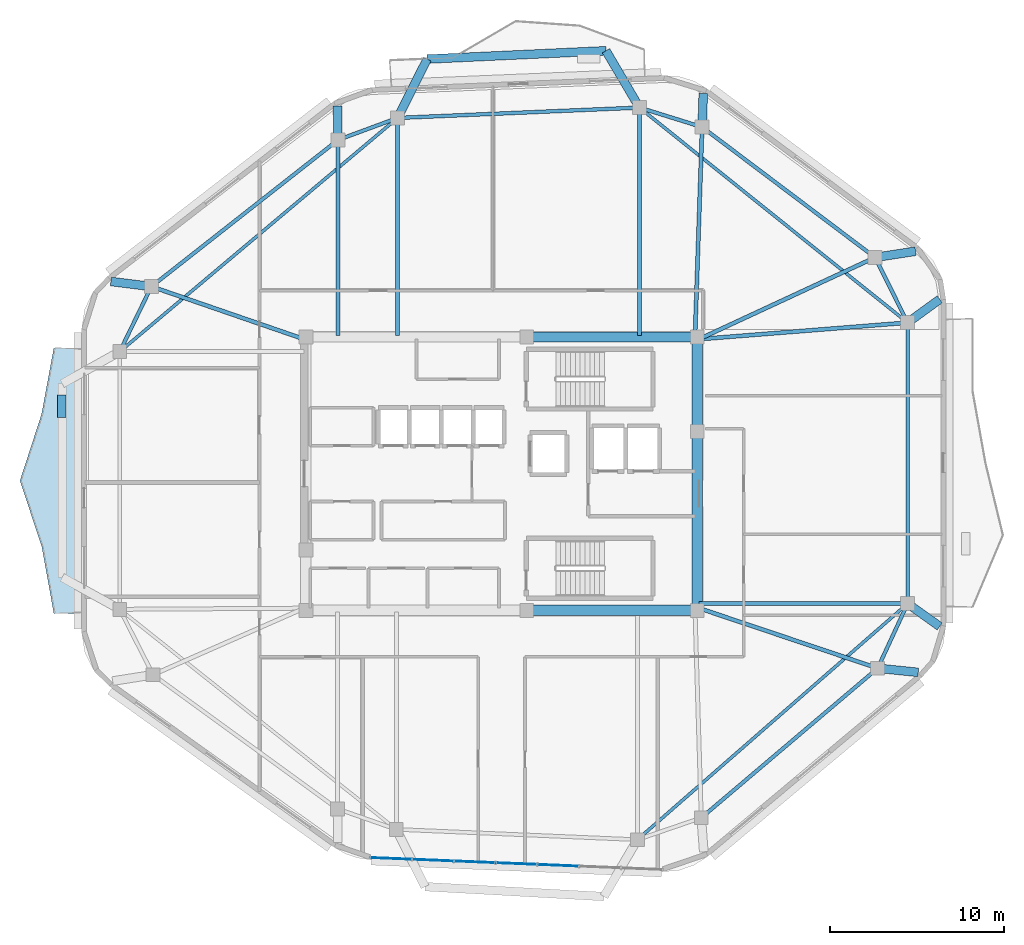
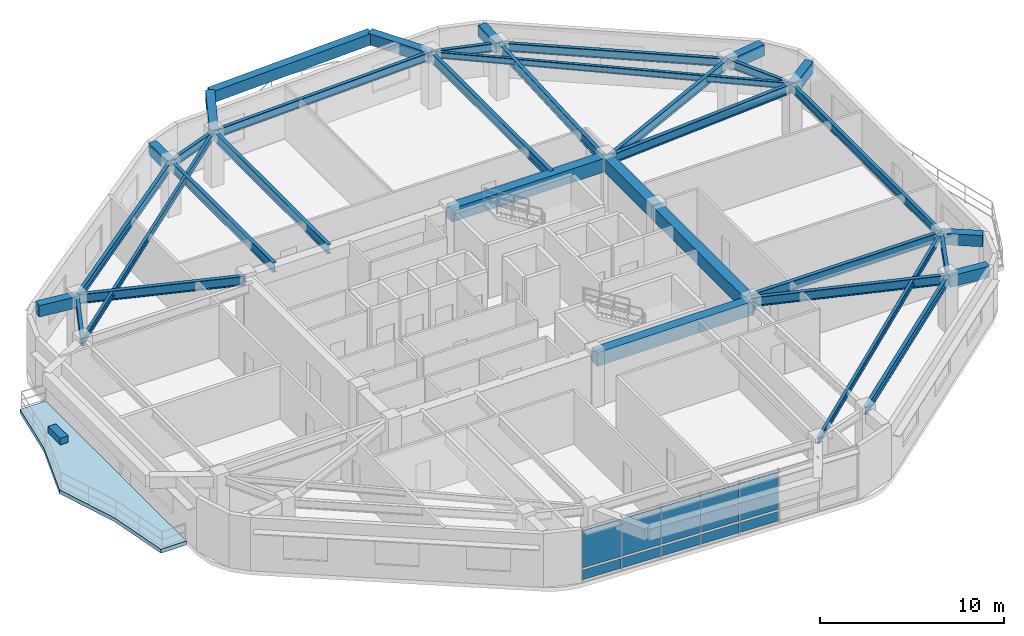
# One storey, part 6 of 13: 36 beams, 11 plates, 1 slab, 1 element without a shape of its own.
"""IFC4 building model written with IfcOpenShell, lengths in metres."""

from ifc_helpers import new_model, si_unit, direction, frame, origin, origin_2d, place, context, subcontext, project, spatial, polyline, rectangle, i_section, outline, extrude, material, layer, layer_set, material_profile, profile_set, type_object, element, aggregate, save


model = new_model("IFC4")

# Units and contexts
model_context = context("Model", 3, precision=1e-05, world=origin(), true_north=direction((0.0, 1.0)))
body_context = subcontext(model_context, "Body", "Model", "MODEL_VIEW")
ifc_project = project(units=[si_unit("LENGTHUNIT", "METRE"), si_unit("AREAUNIT", "SQUARE_METRE"), si_unit("VOLUMEUNIT", "CUBIC_METRE"), si_unit("PLANEANGLEUNIT", "RADIAN"), si_unit("MASSUNIT", "GRAM", prefix="KILO")], contexts=[model_context])

# Site, building, storey
site_placement = place(None, origin())
site = spatial("IfcSite", under=ifc_project, at=site_placement, CompositionType="ELEMENT")
building_placement = place(site_placement, origin())
building = spatial("IfcBuilding", under=site, at=building_placement, Name="Zulverin Broadcast Headquarters", CompositionType="ELEMENT")
storey_placement = place(building_placement, frame((0.0, 0.0, 301.0)))
storey = spatial("IfcBuildingStorey", under=building, at=storey_placement, Name="L77", CompositionType="ELEMENT", Elevation=301.0)

# Beams
ifc_material_1 = material(Name="Concrete C60/75", Category="concrete")
ifc_material_profile_1 = material_profile(ifc_material_1, rectangle(XDim=0.60009765625, YDim=0.89990234375, at=origin_2d()), Name="Concrete C60/75", Category="concrete")
ifc_profile_set_1 = profile_set([ifc_material_profile_1], Name="Concrete C60/75")
beam_type_1 = type_object("IfcBeamType", Name="BM-CB-600x900", PredefinedType="LINTEL", material=ifc_profile_set_1)
beam_1_placement = place(storey_placement, frame((38.449951171875, 17.324951171875, 3.090087890625), z_axis=(1.0, 0.0, 0.0), x_axis=(0.0, 1.0, 0.0)))
element("IfcBeam", 1, at=beam_1_placement, inside=storey, type_object=beam_type_1, Name="L77 Core Coupling Girder K02-K03", PredefinedType="LINTEL", context=body_context, shape_type="SweptSolid", body=[
    extrude(rectangle(XDim=0.60009765625, YDim=0.89990234375, at=origin_2d()), origin(), (0.0, 0.0, 1.0), 9.824951171875),
])
beam_2_placement = place(storey_placement, frame((48.27490234375, 17.324951171875, 3.090087890625), z_axis=(0.0, 1.0, 0.0), x_axis=(-1.0, 0.0, 0.0)))
element("IfcBeam", 2, at=beam_2_placement, inside=storey, type_object=beam_type_1, Name="L77 Core Coupling Girder K03-K04", PredefinedType="LINTEL", context=body_context, shape_type="SweptSolid", body=[
    extrude(rectangle(XDim=0.60009765625, YDim=0.89990234375, at=origin_2d()), origin(), (0.0, 0.0, 1.0), 10.295166015625),
])
beam_3_placement = place(storey_placement, frame((48.27490234375, 27.6201171875, 3.090087890625), z_axis=(0.0, 1.0, 0.0), x_axis=(-1.0, 0.0, 0.0)))
element("IfcBeam", 3, at=beam_3_placement, inside=storey, type_object=beam_type_1, Name="L77 Core Coupling Girder K04-K05", PredefinedType="LINTEL", context=body_context, shape_type="SweptSolid", body=[
    extrude(rectangle(XDim=0.60009765625, YDim=0.89990234375, at=origin_2d()), origin(), (0.0, 0.0, 1.0), 5.454833984375),
])
beam_4_placement = place(storey_placement, frame((48.27490234375, 33.074951171875, 3.090087890625), z_axis=(-1.0, 0.0, 0.0), x_axis=(0.0, -1.0, 0.0)))
element("IfcBeam", 4, at=beam_4_placement, inside=storey, type_object=beam_type_1, Name="L77 Core Coupling Girder K05-K06", PredefinedType="LINTEL", context=body_context, shape_type="SweptSolid", body=[
    extrude(rectangle(XDim=0.60009765625, YDim=0.89990234375, at=origin_2d()), origin(), (0.0, 0.0, 1.0), 9.824951171875),
])
ifc_material_2 = material(Name="Concrete C40/50", Category="concrete")
ifc_material_profile_2 = material_profile(ifc_material_2, rectangle(XDim=0.5, YDim=0.75, at=origin_2d()), Name="Concrete C40/50", Category="concrete")
ifc_profile_set_2 = profile_set([ifc_material_profile_2], Name="Concrete C40/50")
beam_type_2 = type_object("IfcBeamType", Name="BM-RC-500x750", PredefinedType="BEAM", material=ifc_profile_set_2)
beam_5_placement = place(storey_placement, frame((58.6748046875, 13.9892578125, 3.1650390625), z_axis=(0.994775761489, -0.10208420227, 0.0), x_axis=(0.10208420227, 0.994775761489, 0.0)))
element("IfcBeam", 5, at=beam_5_placement, inside=storey, type_object=beam_type_2, Name="L78 Plate Overhang Back-Spanned Beam OVR-04", PredefinedType="BEAM", context=body_context, shape_type="SweptSolid", body=[
    extrude(rectangle(XDim=0.5, YDim=0.75, at=origin_2d()), origin(), (0.0, 0.0, 1.0), 2.350830078125),
])
beam_6_placement = place(storey_placement, frame((60.39990234375, 17.713623046875, 3.1650390625), z_axis=(0.814437263455, -0.580251621192, 0.0), x_axis=(0.580251621192, 0.814437263455, 0.0)))
element("IfcBeam", 6, at=beam_6_placement, inside=storey, type_object=beam_type_2, Name="L78 Plate Overhang Back-Spanned Beam OVR-05", PredefinedType="BEAM", context=body_context, shape_type="SweptSolid", body=[
    extrude(rectangle(XDim=0.5, YDim=0.75, at=origin_2d()), origin(), (0.0, 0.0, 1.0), 2.271728515625),
])
beam_7_placement = place(storey_placement, frame((60.39990234375, 33.903076171875, 3.1650390625), z_axis=(0.80844534591, 0.588571255395, 0.0), x_axis=(-0.588571255395, 0.80844534591, 0.0)))
element("IfcBeam", 7, at=beam_7_placement, inside=storey, type_object=beam_type_2, Name="L78 Plate Overhang Back-Spanned Beam OVR-06", PredefinedType="BEAM", context=body_context, shape_type="SweptSolid", body=[
    extrude(rectangle(XDim=0.5, YDim=0.75, at=origin_2d()), origin(), (0.0, 0.0, 1.0), 2.28857421875),
])
beam_8_placement = place(storey_placement, frame((58.52587890625, 37.661865234375, 3.1650390625), z_axis=(0.988495750069, 0.151248643286, 0.0), x_axis=(-0.151248643286, 0.988495750069, 0.0)))
element("IfcBeam", 8, at=beam_8_placement, inside=storey, type_object=beam_type_2, Name="L78 Plate Overhang Back-Spanned Beam OVR-07", PredefinedType="BEAM", context=body_context, shape_type="SweptSolid", body=[
    extrude(rectangle(XDim=0.5, YDim=0.75, at=origin_2d()), origin(), (0.0, 0.0, 1.0), 2.35986328125),
])
beam_9_placement = place(storey_placement, frame((48.55908203125, 45.172607421875, 3.1650390625), z_axis=(0.032637714701, 0.999467247877, 0.0), x_axis=(-0.999467247877, 0.032637714701, 0.0)))
element("IfcBeam", 9, at=beam_9_placement, inside=storey, type_object=beam_type_2, Name="L78 Plate Overhang Back-Spanned Beam OVR-08", PredefinedType="BEAM", context=body_context, shape_type="SweptSolid", body=[
    extrude(rectangle(XDim=0.5, YDim=0.75, at=origin_2d()), origin(), (0.0, 0.0, 1.0), 1.94482421875),
])
beam_10_placement = place(storey_placement, frame((27.573486328125, 44.4296875, 3.1650390625), z_axis=(-0.015261577794, 0.99988353534, 0.0), x_axis=(-0.99988353534, -0.015261577794, 0.0)))
element("IfcBeam", 10, at=beam_10_placement, inside=storey, type_object=beam_type_2, Name="L78 Plate Overhang Back-Spanned Beam OVR-11", PredefinedType="BEAM", context=body_context, shape_type="SweptSolid", body=[
    extrude(rectangle(XDim=0.5, YDim=0.75, at=origin_2d()), origin(), (0.0, 0.0, 1.0), 1.95166015625),
])
beam_11_placement = place(storey_placement, frame((16.82177734375, 35.98388671875, 3.1650390625), z_axis=(-0.992249101717, 0.124264718012, 0.0), x_axis=(-0.124264718012, -0.992249101717, 0.0)))
element("IfcBeam", 11, at=beam_11_placement, inside=storey, type_object=beam_type_2, Name="L78 Plate Overhang Back-Spanned Beam OVR-12", PredefinedType="BEAM", context=body_context, shape_type="SweptSolid", body=[
    extrude(rectangle(XDim=0.5, YDim=0.75, at=origin_2d()), origin(), (0.0, 0.0, 1.0), 2.351806640625),
])
beam_12_placement = place(storey_placement, frame((44.944580078125, 46.296630859375, 3.1650390625), z_axis=(-0.507354203034, 0.861737612422, 0.0), x_axis=(-0.861737612422, -0.507354203034, 0.0)))
element("IfcBeam", 12, at=beam_12_placement, inside=storey, type_object=beam_type_2, Name="L78 Balcony Column-Framed Cantilever BAL_N-1", PredefinedType="BEAM", context=body_context, shape_type="SweptSolid", body=[
    extrude(rectangle(XDim=0.5, YDim=0.75, at=origin_2d()), origin(), (0.0, 0.0, 1.0), 3.800048828125),
])
beam_13_placement = place(storey_placement, frame((31.006591796875, 45.699951171875, 3.1650390625), z_axis=(0.450063974844, 0.892996314969, 0.0), x_axis=(-0.892996314969, 0.450063974844, 0.0)))
element("IfcBeam", 13, at=beam_13_placement, inside=storey, type_object=beam_type_2, Name="L78 Balcony Column-Framed Cantilever BAL_N-2", PredefinedType="BEAM", context=body_context, shape_type="SweptSolid", body=[
    extrude(rectangle(XDim=0.5, YDim=0.75, at=origin_2d()), origin(), (0.0, 0.0, 1.0), 3.7998046875),
])
beam_14_placement = place(storey_placement, frame((43.0166015625, 49.5712890625, 3.1650390625), z_axis=(-0.998924732324, -0.046361397219, 0.0), x_axis=(0.046361397219, -0.998924732324, 0.0)))
element("IfcBeam", 14, at=beam_14_placement, inside=storey, type_object=beam_type_2, Name="L78 Balcony Outer Edge Trimmer Beam BAL_N", PredefinedType="BEAM", context=body_context, shape_type="SweptSolid", body=[
    extrude(rectangle(XDim=0.5, YDim=0.75, at=origin_2d()), origin(), (0.0, 0.0, 1.0), 10.310791015625),
])
ifc_material_3 = material(Name="Structural steel S355JR", Category="steel")
ifc_material_profile_3 = material_profile(ifc_material_3, i_section(OverallWidth=0.179443359375, OverallDepth=0.412841796875, WebThickness=0.009521484375, FlangeThickness=0.01611328125, at=origin_2d()), Name="Structural steel S355JR", Category="steel")
ifc_profile_set_3 = profile_set([ifc_material_profile_3], Name="Structural steel S355JR")
beam_type_3 = type_object("IfcBeamType", Name="BM-UB-406", PredefinedType="JOIST", material=ifc_profile_set_3)
beam_15_placement = place(storey_placement, frame((44.826904296875, 4.1083984375, 3.33349609375), z_axis=(0.753083303383, 0.657925176723, 0.0), x_axis=(-0.657925176723, 0.753083303383, 0.0)))
element("IfcBeam", 15, at=beam_15_placement, inside=storey, type_object=beam_type_3, Name="L77 Chordal Floor Joist J-01", PredefinedType="JOIST", context=body_context, shape_type="SweptSolid", body=[
    extrude(i_section(OverallWidth=0.179443359375, OverallDepth=0.412841796875, WebThickness=0.009521484375, FlangeThickness=0.01611328125, at=origin_2d()), origin(), (0.0, 0.0, 1.0), 20.678955078125),
])
beam_16_placement = place(storey_placement, frame((60.39990234375, 33.903076171875, 3.33349609375), z_axis=(-0.78014690603, 0.625596359493, 0.0), x_axis=(-0.625596359493, -0.78014690603, 0.0)))
element("IfcBeam", 16, at=beam_16_placement, inside=storey, type_object=beam_type_3, Name="L77 Chordal Floor Joist J-02", PredefinedType="JOIST", context=body_context, shape_type="SweptSolid", body=[
    extrude(i_section(OverallWidth=0.179443359375, OverallDepth=0.412841796875, WebThickness=0.009521484375, FlangeThickness=0.01611328125, at=origin_2d()), origin(), (0.0, 0.0, 1.0), 19.810791015625),
])
beam_17_placement = place(storey_placement, frame((31.006591796875, 45.699951171875, 3.33349609375), z_axis=(-0.765273089862, -0.643705754156, 0.0), x_axis=(0.643705754156, -0.765273089862, 0.0)))
element("IfcBeam", 17, at=beam_17_placement, inside=storey, type_object=beam_type_3, Name="L77 Chordal Floor Joist J-03", PredefinedType="JOIST", context=body_context, shape_type="SweptSolid", body=[
    extrude(i_section(OverallWidth=0.179443359375, OverallDepth=0.412841796875, WebThickness=0.009521484375, FlangeThickness=0.01611328125, at=origin_2d()), origin(), (0.0, 0.0, 1.0), 20.916259765625),
])
ifc_material_profile_4 = material_profile(ifc_material_3, i_section(OverallWidth=0.2119140625, OverallDepth=0.54443359375, WebThickness=0.0126953125, FlangeThickness=0.021240234375, at=origin_2d()), Name="Structural steel S355JR", Category="steel")
ifc_profile_set_4 = profile_set([ifc_material_profile_4], Name="Structural steel S355JR")
beam_type_4 = type_object("IfcBeamType", Name="BM-UB-533", PredefinedType="SPANDREL", material=ifc_profile_set_4)
beam_18_placement = place(storey_placement, frame((48.5078125, 5.3701171875, 3.267822265625), z_axis=(0.762782889345, 0.646654671152, 0.0), x_axis=(-0.646654671152, 0.762782889345, 0.0)))
element("IfcBeam", 18, at=beam_18_placement, inside=storey, type_object=beam_type_4, Name="L77 Perimeter Spandrel Beam SP-03", PredefinedType="SPANDREL", context=body_context, shape_type="SweptSolid", body=[
    extrude(i_section(OverallWidth=0.2119140625, OverallDepth=0.54443359375, WebThickness=0.0126953125, FlangeThickness=0.021240234375, at=origin_2d()), origin(), (0.0, 0.0, 1.0), 13.328857421875),
])
beam_19_placement = place(storey_placement, frame((58.6748046875, 13.9892578125, 3.267822265625), z_axis=(0.420294999852, 0.907387520908, 0.0), x_axis=(-0.907387520908, 0.420294999852, 0.0)))
element("IfcBeam", 19, at=beam_19_placement, inside=storey, type_object=beam_type_4, Name="L77 Perimeter Spandrel Beam SP-04", PredefinedType="SPANDREL", context=body_context, shape_type="SweptSolid", body=[
    extrude(i_section(OverallWidth=0.2119140625, OverallDepth=0.54443359375, WebThickness=0.0126953125, FlangeThickness=0.021240234375, at=origin_2d()), origin(), (0.0, 0.0, 1.0), 4.1044921875),
])
beam_20_placement = place(storey_placement, frame((60.39990234375, 17.713623046875, 3.267822265625), z_axis=(0.0, 1.0, 0.0), x_axis=(-1.0, 0.0, 0.0)))
element("IfcBeam", 20, at=beam_20_placement, inside=storey, type_object=beam_type_4, Name="L77 Perimeter Spandrel Beam SP-05", PredefinedType="SPANDREL", context=body_context, shape_type="SweptSolid", body=[
    extrude(i_section(OverallWidth=0.2119140625, OverallDepth=0.54443359375, WebThickness=0.0126953125, FlangeThickness=0.021240234375, at=origin_2d()), origin(), (0.0, 0.0, 1.0), 16.189453125),
])
beam_21_placement = place(storey_placement, frame((60.39990234375, 33.903076171875, 3.267822265625), z_axis=(-0.446190250792, 0.894938131995, 0.0), x_axis=(-0.894938131995, -0.446190250792, 0.0)))
element("IfcBeam", 21, at=beam_21_placement, inside=storey, type_object=beam_type_4, Name="L77 Perimeter Spandrel Beam SP-06", PredefinedType="SPANDREL", context=body_context, shape_type="SweptSolid", body=[
    extrude(i_section(OverallWidth=0.2119140625, OverallDepth=0.54443359375, WebThickness=0.0126953125, FlangeThickness=0.021240234375, at=origin_2d()), origin(), (0.0, 0.0, 1.0), 4.199951171875),
])
beam_22_placement = place(storey_placement, frame((58.52587890625, 37.661865234375, 3.267822265625), z_axis=(-0.798626958847, 0.60182637081, 0.0), x_axis=(-0.60182637081, -0.798626958847, 0.0)))
element("IfcBeam", 22, at=beam_22_placement, inside=storey, type_object=beam_type_4, Name="L77 Perimeter Spandrel Beam SP-07", PredefinedType="SPANDREL", context=body_context, shape_type="SweptSolid", body=[
    extrude(i_section(OverallWidth=0.2119140625, OverallDepth=0.54443359375, WebThickness=0.0126953125, FlangeThickness=0.021240234375, at=origin_2d()), origin(), (0.0, 0.0, 1.0), 12.47998046875),
])
beam_23_placement = place(storey_placement, frame((48.55908203125, 45.172607421875, 3.267822265625), z_axis=(-0.954893359596, 0.296948938033, 0.0), x_axis=(-0.296948938033, -0.954893359596, 0.0)))
element("IfcBeam", 23, at=beam_23_placement, inside=storey, type_object=beam_type_4, Name="L77 Perimeter Spandrel Beam SP-08", PredefinedType="SPANDREL", context=body_context, shape_type="SweptSolid", body=[
    extrude(i_section(OverallWidth=0.2119140625, OverallDepth=0.54443359375, WebThickness=0.0126953125, FlangeThickness=0.021240234375, at=origin_2d()), origin(), (0.0, 0.0, 1.0), 3.78515625),
])
beam_24_placement = place(storey_placement, frame((44.944580078125, 46.296630859375, 3.267822265625), z_axis=(-0.999084926695, -0.042770424958, 0.0), x_axis=(0.042770424958, -0.999084926695, 0.0)))
element("IfcBeam", 24, at=beam_24_placement, inside=storey, type_object=beam_type_4, Name="L77 Perimeter Spandrel Beam SP-09", PredefinedType="SPANDREL", context=body_context, shape_type="SweptSolid", body=[
    extrude(i_section(OverallWidth=0.2119140625, OverallDepth=0.54443359375, WebThickness=0.0126953125, FlangeThickness=0.021240234375, at=origin_2d()), origin(), (0.0, 0.0, 1.0), 13.95068359375),
])
beam_25_placement = place(storey_placement, frame((31.006591796875, 45.699951171875, 3.267822265625), z_axis=(-0.937860540342, -0.347012401607, 0.0), x_axis=(0.347012401607, -0.937860540342, 0.0)))
element("IfcBeam", 25, at=beam_25_placement, inside=storey, type_object=beam_type_4, Name="L77 Perimeter Spandrel Beam SP-10", PredefinedType="SPANDREL", context=body_context, shape_type="SweptSolid", body=[
    extrude(i_section(OverallWidth=0.2119140625, OverallDepth=0.54443359375, WebThickness=0.0126953125, FlangeThickness=0.021240234375, at=origin_2d()), origin(), (0.0, 0.0, 1.0), 3.66064453125),
])
beam_26_placement = place(storey_placement, frame((27.573486328125, 44.4296875, 3.267822265625), z_axis=(-0.786388352061, -0.617732433779, 0.0), x_axis=(0.617732433779, -0.786388352061, 0.0)))
element("IfcBeam", 26, at=beam_26_placement, inside=storey, type_object=beam_type_4, Name="L77 Perimeter Spandrel Beam SP-11", PredefinedType="SPANDREL", context=body_context, shape_type="SweptSolid", body=[
    extrude(i_section(OverallWidth=0.2119140625, OverallDepth=0.54443359375, WebThickness=0.0126953125, FlangeThickness=0.021240234375, at=origin_2d()), origin(), (0.0, 0.0, 1.0), 13.67236328125),
])
beam_27_placement = place(storey_placement, frame((16.82177734375, 35.98388671875, 3.267822265625), z_axis=(-0.437178884994, -0.899374572976, 0.0), x_axis=(0.899374572976, -0.437178884994, 0.0)))
element("IfcBeam", 27, at=beam_27_placement, inside=storey, type_object=beam_type_4, Name="L77 Perimeter Spandrel Beam SP-12", PredefinedType="SPANDREL", context=body_context, shape_type="SweptSolid", body=[
    extrude(i_section(OverallWidth=0.2119140625, OverallDepth=0.54443359375, WebThickness=0.0126953125, FlangeThickness=0.021240234375, at=origin_2d()), origin(), (0.0, 0.0, 1.0), 4.167236328125),
])
ifc_material_profile_5 = material_profile(ifc_material_3, i_section(OverallWidth=0.230224609375, OverallDepth=0.6171875, WebThickness=0.01318359375, FlangeThickness=0.022216796875, at=origin_2d()), Name="Structural steel S355JR", Category="steel")
ifc_profile_set_5 = profile_set([ifc_material_profile_5], Name="Structural steel S355JR")
beam_type_5 = type_object("IfcBeamType", Name="BM-UB-610", PredefinedType="BEAM", material=ifc_profile_set_5)
beam_28_placement = place(storey_placement, frame((48.375, 17.449951171875, 3.2314453125), z_axis=(0.947923372096, -0.318498478228, 0.0), x_axis=(0.318498478228, 0.947923372096, 0.0)))
element("IfcBeam", 28, at=beam_28_placement, inside=storey, type_object=beam_type_5, Name="L77 Radial Primary Floor Beam RB-04", PredefinedType="BEAM", context=body_context, shape_type="SweptSolid", body=[
    extrude(i_section(OverallWidth=0.230224609375, OverallDepth=0.6171875, WebThickness=0.01318359375, FlangeThickness=0.022216796875, at=origin_2d()), origin(), (0.0, 0.0, 1.0), 10.86572265625),
])
beam_29_placement = place(storey_placement, frame((48.375, 17.713623046875, 3.2314453125), z_axis=(1.0, 0.0, 0.0), x_axis=(0.0, 1.0, 0.0)))
element("IfcBeam", 29, at=beam_29_placement, inside=storey, type_object=beam_type_5, Name="L77 Radial Primary Floor Beam RB-05", PredefinedType="BEAM", context=body_context, shape_type="SweptSolid", body=[
    extrude(i_section(OverallWidth=0.230224609375, OverallDepth=0.6171875, WebThickness=0.01318359375, FlangeThickness=0.022216796875, at=origin_2d()), origin(), (0.0, 0.0, 1.0), 12.02490234375),
])
beam_30_placement = place(storey_placement, frame((48.375, 32.949951171875, 3.2314453125), z_axis=(0.996873444671, 0.079014779064, 0.0), x_axis=(-0.079014779064, 0.996873444671, 0.0)))
element("IfcBeam", 30, at=beam_30_placement, inside=storey, type_object=beam_type_5, Name="L77 Radial Primary Floor Beam RB-06", PredefinedType="BEAM", context=body_context, shape_type="SweptSolid", body=[
    extrude(i_section(OverallWidth=0.230224609375, OverallDepth=0.6171875, WebThickness=0.01318359375, FlangeThickness=0.022216796875, at=origin_2d()), origin(), (0.0, 0.0, 1.0), 12.0625),
])
beam_31_placement = place(storey_placement, frame((48.375, 32.949951171875, 3.2314453125), z_axis=(0.90704288978, 0.421038235912, 0.0), x_axis=(-0.421038235912, 0.90704288978, 0.0)))
element("IfcBeam", 31, at=beam_31_placement, inside=storey, type_object=beam_type_5, Name="L77 Radial Primary Floor Beam RB-07", PredefinedType="BEAM", context=body_context, shape_type="SweptSolid", body=[
    extrude(i_section(OverallWidth=0.230224609375, OverallDepth=0.6171875, WebThickness=0.01318359375, FlangeThickness=0.022216796875, at=origin_2d()), origin(), (0.0, 0.0, 1.0), 11.191162109375),
])
beam_32_placement = place(storey_placement, frame((48.14990234375, 33.175048828125, 3.2314453125), z_axis=(0.034085428247, 0.999418922965, 0.0), x_axis=(-0.999418922965, 0.034085428247, 0.0)))
element("IfcBeam", 32, at=beam_32_placement, inside=storey, type_object=beam_type_5, Name="L77 Radial Primary Floor Beam RB-08", PredefinedType="BEAM", context=body_context, shape_type="SweptSolid", body=[
    extrude(i_section(OverallWidth=0.230224609375, OverallDepth=0.6171875, WebThickness=0.01318359375, FlangeThickness=0.022216796875, at=origin_2d()), origin(), (0.0, 0.0, 1.0), 12.004638671875),
])
beam_33_placement = place(storey_placement, frame((44.944580078125, 33.175048828125, 3.2314453125), z_axis=(0.0, 1.0, 0.0), x_axis=(-1.0, 0.0, 0.0)))
element("IfcBeam", 33, at=beam_33_placement, inside=storey, type_object=beam_type_5, Name="L77 Radial Primary Floor Beam RB-09", PredefinedType="BEAM", context=body_context, shape_type="SweptSolid", body=[
    extrude(i_section(OverallWidth=0.230224609375, OverallDepth=0.6171875, WebThickness=0.01318359375, FlangeThickness=0.022216796875, at=origin_2d()), origin(), (0.0, 0.0, 1.0), 13.12158203125),
])
beam_34_placement = place(storey_placement, frame((31.006591796875, 33.175048828125, 3.2314453125), z_axis=(0.0, 1.0, 0.0), x_axis=(-1.0, 0.0, 0.0)))
element("IfcBeam", 34, at=beam_34_placement, inside=storey, type_object=beam_type_5, Name="L77 Radial Primary Floor Beam RB-10", PredefinedType="BEAM", context=body_context, shape_type="SweptSolid", body=[
    extrude(i_section(OverallWidth=0.230224609375, OverallDepth=0.6171875, WebThickness=0.01318359375, FlangeThickness=0.022216796875, at=origin_2d()), origin(), (0.0, 0.0, 1.0), 12.52490234375),
])
beam_35_placement = place(storey_placement, frame((27.573486328125, 33.175048828125, 3.2314453125), z_axis=(0.0, 1.0, 0.0), x_axis=(-1.0, 0.0, 0.0)))
element("IfcBeam", 35, at=beam_35_placement, inside=storey, type_object=beam_type_5, Name="L77 Radial Primary Floor Beam RB-11", PredefinedType="BEAM", context=body_context, shape_type="SweptSolid", body=[
    extrude(i_section(OverallWidth=0.230224609375, OverallDepth=0.6171875, WebThickness=0.01318359375, FlangeThickness=0.022216796875, at=origin_2d()), origin(), (0.0, 0.0, 1.0), 11.254638671875),
])
beam_36_placement = place(storey_placement, frame((25.625, 32.949951171875, 3.2314453125), z_axis=(-0.945427859505, 0.325831493984, 0.0), x_axis=(-0.325831493984, -0.945427859505, 0.0)))
element("IfcBeam", 36, at=beam_36_placement, inside=storey, type_object=beam_type_5, Name="L77 Radial Primary Floor Beam RB-12", PredefinedType="BEAM", context=body_context, shape_type="SweptSolid", body=[
    extrude(i_section(OverallWidth=0.230224609375, OverallDepth=0.6171875, WebThickness=0.01318359375, FlangeThickness=0.022216796875, at=origin_2d()), origin(), (0.0, 0.0, 1.0), 9.311279296875),
])

# Curtain wall, plates
ifc_material_4 = material(Name="High-zone solar-control unitised curtain wall", Category="aluminium")
curtain_wall_type = type_object("IfcCurtainWallType", Name="CW-TWR-UPP", PredefinedType="USERDEFINED", material=ifc_material_4)
curtain_wall_placement = place(storey_placement, origin())
curtain_wall = element("IfcCurtainWall", 37, at=curtain_wall_placement, inside=storey, type_object=curtain_wall_type, Name="L77 Unitised Curtain Wall CW-L77-E1", ObjectType="UNITISED CURTAIN WALL", PredefinedType="USERDEFINED")
ifc_material_5 = material(Name="Low-E double-glazed pale-silver vision glass", Category="glass")
ifc_layer_1 = layer(ifc_material_5, 0.035888671875, Name="Low-E double-glazed pale-silver vision glass", Category="glass")
ifc_layer_set_1 = layer_set([ifc_layer_1], Name="Low-E double-glazed pale-silver vision glass")
plate_type_1 = type_object("IfcPlateType", Name="CW-PNL-GLZ", PredefinedType="CURTAIN_PANEL", material=ifc_layer_set_1)
plate_1_placement = place(storey_placement, frame((30.6318359375, 3.023681640625, 0.91455078125), z_axis=(0.0, 0.0, 1.0), x_axis=(0.99915627139, -0.041070005388, 0.0)))
plate_1 = element("IfcPlate", 38, at=plate_1_placement, type_object=plate_type_1, Name="CW-L77-E1 Vision Panel 00", PredefinedType="CURTAIN_PANEL", context=body_context, shape_type="SweptSolid", body=[
    extrude(rectangle(XDim=2.370849609375, YDim=0.035888671875, at=origin_2d()), origin(), (0.0, 0.0, 1.0), 2.4853515625),
])
plate_2_placement = place(storey_placement, frame((33.040771484375, 2.9248046875, 0.91455078125), z_axis=(0.0, 0.0, 1.0), x_axis=(0.99915627139, -0.041070005388, 0.0)))
plate_2 = element("IfcPlate", 39, at=plate_2_placement, type_object=plate_type_1, Name="CW-L77-E1 Vision Panel 01", PredefinedType="CURTAIN_PANEL", context=body_context, shape_type="SweptSolid", body=[
    extrude(rectangle(XDim=2.370849609375, YDim=0.035888671875, at=origin_2d()), origin(), (0.0, 0.0, 1.0), 2.4853515625),
])
plate_3_placement = place(storey_placement, frame((35.44970703125, 2.82568359375, 0.91455078125), z_axis=(0.0, 0.0, 1.0), x_axis=(0.99915627139, -0.041070005388, 0.0)))
plate_3 = element("IfcPlate", 40, at=plate_3_placement, type_object=plate_type_1, Name="CW-L77-E1 Vision Panel 02", PredefinedType="CURTAIN_PANEL", context=body_context, shape_type="SweptSolid", body=[
    extrude(rectangle(XDim=2.370849609375, YDim=0.035888671875, at=origin_2d()), origin(), (0.0, 0.0, 1.0), 2.4853515625),
])
plate_4_placement = place(storey_placement, frame((37.8583984375, 2.726806640625, 0.91455078125), z_axis=(0.0, 0.0, 1.0), x_axis=(0.99915627139, -0.041070005388, 0.0)))
plate_4 = element("IfcPlate", 41, at=plate_4_placement, type_object=plate_type_1, Name="CW-L77-E1 Vision Panel 03", PredefinedType="CURTAIN_PANEL", context=body_context, shape_type="SweptSolid", body=[
    extrude(rectangle(XDim=2.370849609375, YDim=0.035888671875, at=origin_2d()), origin(), (0.0, 0.0, 1.0), 2.4853515625),
])
plate_5_placement = place(storey_placement, frame((40.267333984375, 2.627685546875, 0.91455078125), z_axis=(0.0, 0.0, 1.0), x_axis=(0.99915627139, -0.041070005388, 0.0)))
plate_5 = element("IfcPlate", 42, at=plate_5_placement, type_object=plate_type_1, Name="CW-L77-E1 Vision Panel 04", PredefinedType="CURTAIN_PANEL", context=body_context, shape_type="SweptSolid", body=[
    extrude(rectangle(XDim=2.370849609375, YDim=0.035888671875, at=origin_2d()), origin(), (0.0, 0.0, 1.0), 2.4853515625),
])
ifc_material_6 = material(Name="Insulated brushed pale-aluminium spandrel cassette", Category="aluminium")
ifc_layer_2 = layer(ifc_material_6, 0.050048828125, Name="Insulated brushed pale-aluminium spandrel cassette", Category="aluminium")
ifc_layer_set_2 = layer_set([ifc_layer_2], Name="Insulated brushed pale-aluminium spandrel cassette")
plate_type_2 = type_object("IfcPlateType", Name="CW-PNL-SPN", PredefinedType="CURTAIN_PANEL", material=ifc_layer_set_2)
plate_6_placement = place(storey_placement, frame((30.6318359375, 3.023681640625, 0.14013671875), z_axis=(0.0, 0.0, 1.0), x_axis=(0.99915627139, -0.041070005388, 0.0)))
plate_6 = element("IfcPlate", 43, at=plate_6_placement, type_object=plate_type_2, Name="CW-L77-E1 Spandrel Cassette 00", PredefinedType="CURTAIN_PANEL", context=body_context, shape_type="SweptSolid", body=[
    extrude(rectangle(XDim=2.370849609375, YDim=0.050048828125, at=origin_2d()), origin(), (0.0, 0.0, 1.0), 0.64453125),
])
plate_7_placement = place(storey_placement, frame((33.040771484375, 2.9248046875, 0.14013671875), z_axis=(0.0, 0.0, 1.0), x_axis=(0.99915627139, -0.041070005388, 0.0)))
plate_7 = element("IfcPlate", 44, at=plate_7_placement, type_object=plate_type_2, Name="CW-L77-E1 Spandrel Cassette 01", PredefinedType="CURTAIN_PANEL", context=body_context, shape_type="SweptSolid", body=[
    extrude(rectangle(XDim=2.370849609375, YDim=0.050048828125, at=origin_2d()), origin(), (0.0, 0.0, 1.0), 0.64453125),
])
plate_8_placement = place(storey_placement, frame((35.44970703125, 2.82568359375, 0.14013671875), z_axis=(0.0, 0.0, 1.0), x_axis=(0.99915627139, -0.041070005388, 0.0)))
plate_8 = element("IfcPlate", 45, at=plate_8_placement, type_object=plate_type_2, Name="CW-L77-E1 Spandrel Cassette 02", PredefinedType="CURTAIN_PANEL", context=body_context, shape_type="SweptSolid", body=[
    extrude(rectangle(XDim=2.370849609375, YDim=0.050048828125, at=origin_2d()), origin(), (0.0, 0.0, 1.0), 0.64453125),
])
plate_9_placement = place(storey_placement, frame((37.8583984375, 2.726806640625, 0.14013671875), z_axis=(0.0, 0.0, 1.0), x_axis=(0.99915627139, -0.041070005388, 0.0)))
plate_9 = element("IfcPlate", 46, at=plate_9_placement, type_object=plate_type_2, Name="CW-L77-E1 Spandrel Cassette 03", PredefinedType="CURTAIN_PANEL", context=body_context, shape_type="SweptSolid", body=[
    extrude(rectangle(XDim=2.370849609375, YDim=0.050048828125, at=origin_2d()), origin(), (0.0, 0.0, 1.0), 0.64453125),
])
plate_10_placement = place(storey_placement, frame((40.267333984375, 2.627685546875, 0.14013671875), z_axis=(0.0, 0.0, 1.0), x_axis=(0.99915627139, -0.041070005388, 0.0)))
plate_10 = element("IfcPlate", 47, at=plate_10_placement, type_object=plate_type_2, Name="CW-L77-E1 Spandrel Cassette 04", PredefinedType="CURTAIN_PANEL", context=body_context, shape_type="SweptSolid", body=[
    extrude(rectangle(XDim=2.370849609375, YDim=0.050048828125, at=origin_2d()), origin(), (0.0, 0.0, 1.0), 0.64453125),
])
aggregate(curtain_wall, [plate_6, plate_1, plate_7, plate_2, plate_8, plate_3, plate_9, plate_4, plate_10, plate_5])

# Plate
ifc_material_7 = material(Name="Precast concrete C45/55", Category="concrete")
ifc_layer_3 = layer(ifc_material_7, 0.449951171875, Name="Precast concrete C45/55", Category="concrete")
ifc_layer_set_3 = layer_set([ifc_layer_3], Name="Precast concrete C45/55")
plate_type_3 = type_object("IfcPlateType", Name="PT-01_PRECAST_GFRC_TREE_PLANTER", PredefinedType="USERDEFINED", material=ifc_layer_set_3)
plate_11_placement = place(storey_placement, frame((11.64990234375, 29.082763671875, -0.0048828125), z_axis=(0.0, 0.0, 1.0), x_axis=(0.0, 1.0, 0.0)))
element("IfcPlate", 48, at=plate_11_placement, inside=storey, type_object=plate_type_3, Name="L77 Precast GFRC Tree Planter BAL_W", ObjectType="PLANTER", PredefinedType="USERDEFINED", context=body_context, shape_type="SweptSolid", body=[
    extrude(rectangle(XDim=1.300048828125, YDim=0.5, at=origin_2d()), origin(), (0.0, 0.0, 1.0), 0.449951171875),
])

# Slab
ifc_layer_4 = layer(ifc_material_2, 0.260009765625, Name="Concrete C40/50", Category="concrete")
ifc_layer_set_4 = layer_set([ifc_layer_4], Name="Concrete C40/50")
slab_type = type_object("IfcSlabType", Name="SLB-BAL-260", PredefinedType="FLOOR", material=ifc_layer_set_4)
slab_placement = place(storey_placement, frame((0.0, 0.0, -0.260009765625)))
element("IfcSlab", 49, at=slab_placement, inside=storey, type_object=slab_type, Name="L77 Cantilevered Planted Balcony Slab BAL_W", PredefinedType="FLOOR", context=body_context, shape_type="SweptSolid", body=[
    extrude(outline(polyline([(12.800048828125, 17.151611328125), (12.800048828125, 32.447998046875), (11.199951171875, 32.447998046875), (10.49169921875, 28.623779296875), (9.25, 24.7998046875), (10.510009765625, 20.975830078125), (11.199951171875, 17.151611328125), (12.800048828125, 17.151611328125)])), origin(), (0.0, 0.0, 1.0), 0.260009765625),
])

save(model, "model.ifc")
